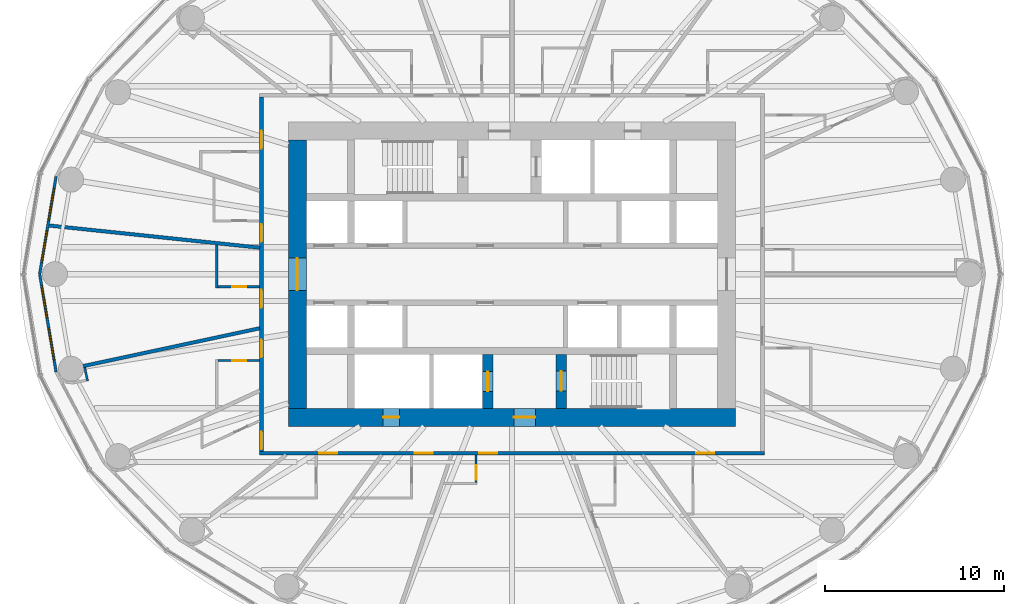
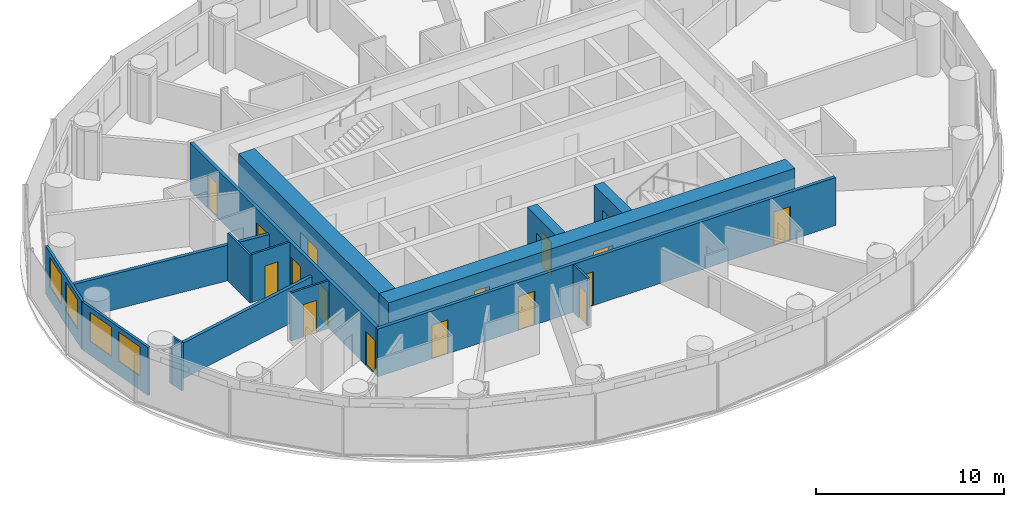
# One storey, part 7 of 13: 17 doors, 15 walls, 4 windows, 21 openings.
"""IFC4 building model written with IfcOpenShell, lengths in metres."""

from ifc_helpers import new_model, si_unit, direction, frame, frame_2d, origin, place, context, subcontext, project, spatial, rectangle, extrude, material, layer, layer_set, type_object, element, fill, save


model = new_model("IFC4")

# Units and contexts
model_context = context("Model", 3, precision=1e-05, world=origin(), true_north=direction((0.0, 1.0)))
body_context = subcontext(model_context, "Body", "Model", "MODEL_VIEW")
ifc_project = project(units=[si_unit("LENGTHUNIT", "METRE"), si_unit("AREAUNIT", "SQUARE_METRE"), si_unit("VOLUMEUNIT", "CUBIC_METRE"), si_unit("PLANEANGLEUNIT", "RADIAN"), si_unit("MASSUNIT", "GRAM", prefix="KILO")], contexts=[model_context])

# Site, building, storey
site_placement = place(None, origin())
site = spatial("IfcSite", under=ifc_project, at=site_placement, CompositionType="ELEMENT")
building_placement = place(site_placement, origin())
building = spatial("IfcBuilding", under=site, at=building_placement, Name="Hankou Lantern Tower", CompositionType="ELEMENT")
storey_placement = place(building_placement, frame((0.0, 0.0, 80.39990234375)))
storey = spatial("IfcBuildingStorey", under=building, at=storey_placement, Name="L20", CompositionType="ELEMENT", Elevation=80.39990234375)

# Wall, openings, doors
ifc_material_1 = material(Name="Concrete C60", Category="concrete")
ifc_layer_1 = layer(ifc_material_1, 1.0)
ifc_layer_set_1 = layer_set([ifc_layer_1], Name="Concrete C60")
wall_type_1 = type_object("IfcWallType", Name="CW1 CORE WALL 1000", PredefinedType="SHEAR", material=ifc_layer_set_1)
wall_1_placement = place(storey_placement, frame((12.5, -8.0, 0.0), z_axis=(0.0, 0.0, 1.0), x_axis=(-1.0, 0.0, 0.0)))
wall_1 = element("IfcWall", 1, at=wall_1_placement, inside=storey, type_object=wall_type_1, Name="Core wall south L20", PredefinedType="SHEAR", context=body_context, shape_type="SweptSolid", body=[
    extrude(rectangle(XDim=25.0, YDim=1.0, at=frame_2d((12.5, 0.0))), origin(), (0.0, 0.0, 1.0), 3.300048828125),
])
opening_1_placement = place(wall_1_placement, frame((11.199951171875, 0.0, 0.0)))
opening_1 = element("IfcOpeningElement", 2, at=opening_1_placement, cuts=wall_1, Name="Opening D5", PredefinedType="OPENING", context=body_context, shape_type="SweptSolid", body=[
    extrude(rectangle(XDim=1.199951171875, YDim=2.199951171875, at=frame_2d((0.60009765625, 1.10009765625))), frame((0.0, 0.510009765625, 0.0), z_axis=(0.0, -1.0, 0.0), x_axis=(1.0, 0.0, 0.0)), (0.0, 0.0, 1.0), 1.02001953125),
])
opening_2_placement = place(wall_1_placement, frame((18.800048828125, 0.0, 0.0)))
opening_2 = element("IfcOpeningElement", 3, at=opening_2_placement, cuts=wall_1, Name="Opening D7", PredefinedType="OPENING", context=body_context, shape_type="SweptSolid", body=[
    extrude(rectangle(XDim=0.89990234375, YDim=2.199951171875, at=frame_2d((0.449951171875, 1.10009765625))), frame((0.0, 0.510009765625, 0.0), z_axis=(0.0, -1.0, 0.0), x_axis=(1.0, 0.0, 0.0)), (0.0, 0.0, 1.0), 1.02001953125),
])
ifc_material_2 = material(Name="Steel door leaf", Category="steel")
door_type_1 = type_object("IfcDoorType", Name="D5 STAIR LOBBY DOOR 1200X2200", OperationType="SINGLE_SWING_LEFT", PredefinedType="DOOR", material=ifc_material_2)
door_1_placement = place(opening_1_placement, origin())
door_1 = element("IfcDoor", 4, at=door_1_placement, inside=storey, type_object=door_type_1, Name="Stair B lobby door", OperationType="SINGLE_SWING_LEFT", OverallHeight=2.199951171875, OverallWidth=1.199951171875, PredefinedType="DOOR", context=body_context, shape_type="SweptSolid", body=[
    extrude(rectangle(XDim=1.199951171875, YDim=2.199951171875, at=frame_2d((0.60009765625, 1.10009765625))), frame((0.0, 0.02490234375, 0.0), z_axis=(0.0, -1.0, 0.0), x_axis=(1.0, 0.0, 0.0)), (0.0, 0.0, 1.0), 0.050048828125),
])
fill(opening_1, door_1)
ifc_material_3 = material(Name="Steel door leaf", Category="steel")
door_type_2 = type_object("IfcDoorType", Name="D7 RISER DOOR 900X2200", OperationType="SINGLE_SWING_LEFT", PredefinedType="DOOR", material=ifc_material_3)
door_2_placement = place(opening_2_placement, origin())
door_2 = element("IfcDoor", 5, at=door_2_placement, inside=storey, type_object=door_type_2, Name="Riser S1 door", OperationType="SINGLE_SWING_RIGHT", OverallHeight=2.199951171875, OverallWidth=0.89990234375, PredefinedType="DOOR", context=body_context, shape_type="SweptSolid", body=[
    extrude(rectangle(XDim=0.89990234375, YDim=2.199951171875, at=frame_2d((0.449951171875, 1.10009765625))), frame((0.0, 0.02490234375, 0.0), z_axis=(0.0, -1.0, 0.0), x_axis=(1.0, 0.0, 0.0)), (0.0, 0.0, 1.0), 0.050048828125),
])
fill(opening_2, door_2)

# Wall, opening, door
wall_2_placement = place(storey_placement, frame((-12.0, 7.5, 0.0), z_axis=(0.0, 0.0, 1.0), x_axis=(0.0, -1.0, 0.0)))
wall_2 = element("IfcWall", 6, at=wall_2_placement, inside=storey, type_object=wall_type_1, Name="Core wall west L20", PredefinedType="SHEAR", context=body_context, shape_type="SweptSolid", body=[
    extrude(rectangle(XDim=15.0, YDim=1.0, at=frame_2d((7.5, 0.0))), origin(), (0.0, 0.0, 1.0), 3.300048828125),
])
opening_3_placement = place(wall_2_placement, frame((6.60009765625, 0.0, 0.0)))
opening_3 = element("IfcOpeningElement", 7, at=opening_3_placement, cuts=wall_2, Name="Opening D6", PredefinedType="OPENING", context=body_context, shape_type="SweptSolid", body=[
    extrude(rectangle(XDim=1.800048828125, YDim=2.199951171875, at=frame_2d((0.89990234375, 1.10009765625))), frame((0.0, 0.510009765625, 0.0), z_axis=(0.0, -1.0, 0.0), x_axis=(1.0, 0.0, 0.0)), (0.0, 0.0, 1.0), 1.02001953125),
])
ifc_material_4 = material(Name="Steel door leaf", Category="steel")
door_type_3 = type_object("IfcDoorType", Name="D6 LIFT LOBBY DOOR 1800X2200", OperationType="DOUBLE_DOOR_DOUBLE_SWING", PredefinedType="DOOR", material=ifc_material_4)
door_3_placement = place(opening_3_placement, origin())
door_3 = element("IfcDoor", 8, at=door_3_placement, inside=storey, type_object=door_type_3, Name="Lift lobby west door", OperationType="DOUBLE_DOOR_DOUBLE_SWING", OverallHeight=2.199951171875, OverallWidth=1.800048828125, PredefinedType="DOOR", context=body_context, shape_type="SweptSolid", body=[
    extrude(rectangle(XDim=1.800048828125, YDim=2.199951171875, at=frame_2d((0.89990234375, 1.10009765625))), frame((0.0, 0.02490234375, 0.0), z_axis=(0.0, -1.0, 0.0), x_axis=(1.0, 0.0, 0.0)), (0.0, 0.0, 1.0), 0.050048828125),
])
fill(opening_3, door_3)

ifc_material_5 = material(Name="Concrete C60", Category="concrete")
ifc_layer_2 = layer(ifc_material_5, 0.60009765625)
ifc_layer_set_2 = layer_set([ifc_layer_2], Name="Concrete C60")
wall_type_2 = type_object("IfcWallType", Name="CW6 STAIR AND SHAFT WALL 600", PredefinedType="SHEAR", material=ifc_layer_set_2)
wall_3_placement = place(storey_placement, frame((2.75, -7.5, 0.0), z_axis=(0.0, 0.0, 1.0), x_axis=(0.0, 1.0, 0.0)))
wall_3 = element("IfcWall", 9, at=wall_3_placement, inside=storey, type_object=wall_type_2, Name="Stair wall L20", PredefinedType="SHEAR", context=body_context, shape_type="SweptSolid", body=[
    extrude(rectangle(XDim=3.0, YDim=0.60009765625, at=frame_2d((1.5, 0.0))), origin(), (0.0, 0.0, 1.0), 3.300048828125),
])
opening_4_placement = place(wall_3_placement, frame((0.97509765625, 0.0, 0.0)))
opening_4 = element("IfcOpeningElement", 10, at=opening_4_placement, cuts=wall_3, Name="Opening D4", PredefinedType="OPENING", context=body_context, shape_type="SweptSolid", body=[
    extrude(rectangle(XDim=1.10009765625, YDim=2.199951171875, at=frame_2d((0.550048828125, 1.10009765625))), frame((0.0, 0.31005859375, 0.0), z_axis=(0.0, -1.0, 0.0), x_axis=(1.0, 0.0, 0.0)), (0.0, 0.0, 1.0), 0.6201171875),
])
ifc_material_6 = material(Name="Steel door leaf", Category="steel")
door_type_4 = type_object("IfcDoorType", Name="D4 STAIR DOOR 1100X2200", OperationType="SINGLE_SWING_LEFT", PredefinedType="DOOR", material=ifc_material_6)
door_4_placement = place(opening_4_placement, origin())
door_4 = element("IfcDoor", 11, at=door_4_placement, inside=storey, type_object=door_type_4, Name="Stair B door", OperationType="SINGLE_SWING_RIGHT", OverallHeight=2.199951171875, OverallWidth=1.10009765625, PredefinedType="DOOR", context=body_context, shape_type="SweptSolid", body=[
    extrude(rectangle(XDim=1.10009765625, YDim=2.199951171875, at=frame_2d((0.550048828125, 1.10009765625))), frame((0.0, 0.02490234375, 0.0), z_axis=(0.0, -1.0, 0.0), x_axis=(1.0, 0.0, 0.0)), (0.0, 0.0, 1.0), 0.050048828125),
])
fill(opening_4, door_4)

wall_4_placement = place(storey_placement, frame((-1.35009765625, -7.5, 0.0), z_axis=(0.0, 0.0, 1.0), x_axis=(0.0, 1.0, 0.0)))
wall_4 = element("IfcWall", 12, at=wall_4_placement, inside=storey, type_object=wall_type_2, Name="Firefighting lift shaft wall L20", PredefinedType="SHEAR", context=body_context, shape_type="SweptSolid", body=[
    extrude(rectangle(XDim=3.0, YDim=0.60009765625, at=frame_2d((1.5, 0.0))), origin(), (0.0, 0.0, 1.0), 3.300048828125),
])
opening_5_placement = place(wall_4_placement, frame((0.949951171875, 0.0, 0.0)))
opening_5 = element("IfcOpeningElement", 13, at=opening_5_placement, cuts=wall_4, Name="Opening LD2", PredefinedType="OPENING", context=body_context, shape_type="SweptSolid", body=[
    extrude(rectangle(XDim=1.10009765625, YDim=2.199951171875, at=frame_2d((0.550048828125, 1.10009765625))), frame((0.0, 0.31005859375, 0.0), z_axis=(0.0, -1.0, 0.0), x_axis=(1.0, 0.0, 0.0)), (0.0, 0.0, 1.0), 0.6201171875),
])
ifc_material_7 = material(Name="Steel door leaf", Category="steel")
door_type_5 = type_object("IfcDoorType", Name="LD2 FIREFIGHTING LIFT LANDING DOOR 1100X2200", OperationType="DOUBLE_DOOR_SLIDING", PredefinedType="DOOR", material=ifc_material_7)
door_5_placement = place(opening_5_placement, origin())
door_5 = element("IfcDoor", 14, at=door_5_placement, inside=storey, type_object=door_type_5, Name="Firefighting lift FL2 landing door", OperationType="DOUBLE_DOOR_SLIDING", OverallHeight=2.199951171875, OverallWidth=1.10009765625, PredefinedType="DOOR", context=body_context, shape_type="SweptSolid", body=[
    extrude(rectangle(XDim=1.10009765625, YDim=2.199951171875, at=frame_2d((0.550048828125, 1.10009765625))), frame((0.0, 0.02490234375, 0.0), z_axis=(0.0, -1.0, 0.0), x_axis=(1.0, 0.0, 0.0)), (0.0, 0.0, 1.0), 0.050048828125),
])
fill(opening_5, door_5)

# Wall, openings, windows
ifc_material_8 = material(Name="Aluminium spandrel panel on steel studs", Category="steel")
ifc_layer_3 = layer(ifc_material_8, 0.14990234375)
ifc_layer_set_3 = layer_set([ifc_layer_3], Name="Aluminium spandrel panel on steel studs")
wall_type_3 = type_object("IfcWallType", Name="EW1 INNER SKIN WALL 150", PredefinedType="ELEMENTEDWALL", material=ifc_layer_set_3)
wall_5_placement = place(storey_placement, frame((-25.482421875, 5.46240234375, 0.0), z_axis=(0.0, 0.0, 1.0), x_axis=(-0.165642551694, -0.986185857264, 0.0)))
wall_5 = element("IfcWall", 15, at=wall_5_placement, inside=storey, type_object=wall_type_3, Name="Inner skin R12-R13 L20", PredefinedType="ELEMENTEDWALL", context=body_context, shape_type="SweptSolid", body=[
    extrude(rectangle(XDim=5.538818359375, YDim=0.14990234375, at=frame_2d((2.76953125, 0.0))), origin(), (0.0, 0.0, 1.0), 3.1201171875),
])
opening_6_placement = place(wall_5_placement, frame((0.66943359375, 0.0, 0.89990234375)))
opening_6 = element("IfcOpeningElement", 16, at=opening_6_placement, cuts=wall_5, Name="Opening W1", PredefinedType="OPENING", context=body_context, shape_type="SweptSolid", body=[
    extrude(rectangle(XDim=1.800048828125, YDim=1.89990234375, at=frame_2d((0.89990234375, 0.949951171875))), frame((0.0, 0.0849609375, 0.0), z_axis=(0.0, -1.0, 0.0), x_axis=(1.0, 0.0, 0.0)), (0.0, 0.0, 1.0), 0.169921875),
])
opening_7_placement = place(wall_5_placement, frame((3.069580078125, 0.0, 0.89990234375)))
opening_7 = element("IfcOpeningElement", 17, at=opening_7_placement, cuts=wall_5, Name="Opening W1", PredefinedType="OPENING", context=body_context, shape_type="SweptSolid", body=[
    extrude(rectangle(XDim=1.800048828125, YDim=1.89990234375, at=frame_2d((0.89990234375, 0.949951171875))), frame((0.0, 0.0849609375, 0.0), z_axis=(0.0, -1.0, 0.0), x_axis=(1.0, 0.0, 0.0)), (0.0, 0.0, 1.0), 0.169921875),
])
ifc_material_9 = material(Name="Aluminium framed double glazed window", Category="aluminium")
window_type = type_object("IfcWindowType", Name="W1 GUEST ROOM WINDOW 1800X1900", PartitioningType="DOUBLE_PANEL_VERTICAL", PredefinedType="WINDOW", material=ifc_material_9)
window_1_placement = place(opening_6_placement, origin())
window_1 = element("IfcWindow", 18, at=window_1_placement, inside=storey, type_object=window_type, Name="Window R12.1 L20", OverallHeight=1.89990234375, OverallWidth=1.800048828125, PartitioningType="SINGLE_PANEL", PredefinedType="WINDOW", context=body_context, shape_type="SweptSolid", body=[
    extrude(rectangle(XDim=1.800048828125, YDim=1.89990234375, at=frame_2d((0.89990234375, 0.949951171875))), frame((0.0, 0.030029296875, 0.0), z_axis=(0.0, -1.0, 0.0), x_axis=(1.0, 0.0, 0.0)), (0.0, 0.0, 1.0), 0.06005859375),
])
fill(opening_6, window_1)
window_2_placement = place(opening_7_placement, origin())
window_2 = element("IfcWindow", 19, at=window_2_placement, inside=storey, type_object=window_type, Name="Window R12.2 L20", OverallHeight=1.89990234375, OverallWidth=1.800048828125, PartitioningType="SINGLE_PANEL", PredefinedType="WINDOW", context=body_context, shape_type="SweptSolid", body=[
    extrude(rectangle(XDim=1.800048828125, YDim=1.89990234375, at=frame_2d((0.89990234375, 0.949951171875))), frame((0.0, 0.030029296875, 0.0), z_axis=(0.0, -1.0, 0.0), x_axis=(1.0, 0.0, 0.0)), (0.0, 0.0, 1.0), 0.06005859375),
])
fill(opening_7, window_2)

wall_6_placement = place(storey_placement, frame((-26.39990234375, 0.0, 0.0), z_axis=(0.0, 0.0, 1.0), x_axis=(0.165642551694, -0.986185857264, 0.0)))
wall_6 = element("IfcWall", 20, at=wall_6_placement, inside=storey, type_object=wall_type_3, Name="Inner skin R13-R14 L20", PredefinedType="ELEMENTEDWALL", context=body_context, shape_type="SweptSolid", body=[
    extrude(rectangle(XDim=5.538818359375, YDim=0.14990234375, at=frame_2d((2.76953125, 0.0))), origin(), (0.0, 0.0, 1.0), 3.1201171875),
])
opening_8_placement = place(wall_6_placement, frame((0.66943359375, 0.0, 0.89990234375)))
opening_8 = element("IfcOpeningElement", 21, at=opening_8_placement, cuts=wall_6, Name="Opening W1", PredefinedType="OPENING", context=body_context, shape_type="SweptSolid", body=[
    extrude(rectangle(XDim=1.800048828125, YDim=1.89990234375, at=frame_2d((0.89990234375, 0.949951171875))), frame((0.0, 0.0849609375, 0.0), z_axis=(0.0, -1.0, 0.0), x_axis=(1.0, 0.0, 0.0)), (0.0, 0.0, 1.0), 0.169921875),
])
opening_9_placement = place(wall_6_placement, frame((3.069580078125, 0.0, 0.89990234375)))
opening_9 = element("IfcOpeningElement", 22, at=opening_9_placement, cuts=wall_6, Name="Opening W1", PredefinedType="OPENING", context=body_context, shape_type="SweptSolid", body=[
    extrude(rectangle(XDim=1.800048828125, YDim=1.89990234375, at=frame_2d((0.89990234375, 0.949951171875))), frame((0.0, 0.0849609375, 0.0), z_axis=(0.0, -1.0, 0.0), x_axis=(1.0, 0.0, 0.0)), (0.0, 0.0, 1.0), 0.169921875),
])
window_3_placement = place(opening_8_placement, origin())
window_3 = element("IfcWindow", 23, at=window_3_placement, inside=storey, type_object=window_type, Name="Window R13.1 L20", OverallHeight=1.89990234375, OverallWidth=1.800048828125, PartitioningType="SINGLE_PANEL", PredefinedType="WINDOW", context=body_context, shape_type="SweptSolid", body=[
    extrude(rectangle(XDim=1.800048828125, YDim=1.89990234375, at=frame_2d((0.89990234375, 0.949951171875))), frame((0.0, 0.030029296875, 0.0), z_axis=(0.0, -1.0, 0.0), x_axis=(1.0, 0.0, 0.0)), (0.0, 0.0, 1.0), 0.06005859375),
])
fill(opening_8, window_3)
window_4_placement = place(opening_9_placement, origin())
window_4 = element("IfcWindow", 24, at=window_4_placement, inside=storey, type_object=window_type, Name="Window R13.2 L20", OverallHeight=1.89990234375, OverallWidth=1.800048828125, PartitioningType="SINGLE_PANEL", PredefinedType="WINDOW", context=body_context, shape_type="SweptSolid", body=[
    extrude(rectangle(XDim=1.800048828125, YDim=1.89990234375, at=frame_2d((0.89990234375, 0.949951171875))), frame((0.0, 0.030029296875, 0.0), z_axis=(0.0, -1.0, 0.0), x_axis=(1.0, 0.0, 0.0)), (0.0, 0.0, 1.0), 0.06005859375),
])
fill(opening_9, window_4)

# Walls
ifc_material_10 = material(Name="Masonry lightweight concrete block", Category="masonry")
ifc_layer_4 = layer(ifc_material_10, 0.199951171875)
ifc_layer_set_4 = layer_set([ifc_layer_4], Name="Masonry lightweight concrete block")
wall_type_4 = type_object("IfcWallType", Name="IW1 GUEST ROOM PARTY WALL 200", PredefinedType="PARTITIONING", material=ifc_layer_set_4)
wall_7_placement = place(storey_placement, frame((-14.10009765625, 1.48193359375, 0.0), z_axis=(0.0, 0.0, 1.0), x_axis=(-0.994522076235, 0.104526742422, 0.0)))
element("IfcWall", 25, at=wall_7_placement, inside=storey, type_object=wall_type_4, Name="Party wall R12-R13", PredefinedType="PARTITIONING", context=body_context, shape_type="SweptSolid", body=[
    extrude(rectangle(XDim=11.82080078125, YDim=0.199951171875, at=frame_2d((5.910400390625, 0.0))), origin(), (0.0, 0.0, 1.0), 2.320068359375),
])
wall_8_placement = place(storey_placement, frame((-14.10009765625, -3.0224609375, 0.0), z_axis=(0.0, 0.0, 1.0), x_axis=(-0.977790014929, -0.209586943072, 0.0)))
element("IfcWall", 26, at=wall_8_placement, inside=storey, type_object=wall_type_4, Name="Party wall R14", PredefinedType="PARTITIONING", context=body_context, shape_type="SweptSolid", body=[
    extrude(rectangle(XDim=10.086669921875, YDim=0.199951171875, at=frame_2d((5.04345703125, 0.0))), origin(), (0.0, 0.0, 1.0), 2.320068359375),
])

# Wall, openings, doors
ifc_material_11 = material(Name="Masonry lightweight concrete block", Category="masonry")
ifc_layer_5 = layer(ifc_material_11, 0.199951171875)
ifc_layer_set_5 = layer_set([ifc_layer_5], Name="Masonry lightweight concrete block")
wall_type_5 = type_object("IfcWallType", Name="IW2 CORRIDOR WALL 200", PredefinedType="PARTITIONING", material=ifc_layer_set_5)
wall_9_placement = place(storey_placement, frame((14.10009765625, -10.0, 0.0), z_axis=(0.0, 0.0, 1.0), x_axis=(-1.0, 0.0, 0.0)))
wall_9 = element("IfcWall", 27, at=wall_9_placement, inside=storey, type_object=wall_type_5, Name="Corridor wall south", PredefinedType="PARTITIONING", context=body_context, shape_type="SweptSolid", body=[
    extrude(rectangle(XDim=28.2001953125, YDim=0.199951171875, at=frame_2d((14.10009765625, 0.0))), origin(), (0.0, 0.0, 1.0), 3.1201171875),
])
opening_10_placement = place(wall_9_placement, frame((23.864990234375, 0.0, 0.0)))
opening_10 = element("IfcOpeningElement", 28, at=opening_10_placement, cuts=wall_9, Name="Opening D1", PredefinedType="OPENING", context=body_context, shape_type="SweptSolid", body=[
    extrude(rectangle(XDim=1.0, YDim=2.199951171875, at=frame_2d((0.5, 1.10009765625))), frame((0.0, 0.10986328125, 0.0), z_axis=(0.0, -1.0, 0.0), x_axis=(1.0, 0.0, 0.0)), (0.0, 0.0, 1.0), 0.219970703125),
])
opening_11_placement = place(wall_9_placement, frame((18.529052734375, 0.0, 0.0)))
opening_11 = element("IfcOpeningElement", 29, at=opening_11_placement, cuts=wall_9, Name="Opening D1", PredefinedType="OPENING", context=body_context, shape_type="SweptSolid", body=[
    extrude(rectangle(XDim=1.0, YDim=2.199951171875, at=frame_2d((0.5, 1.10009765625))), frame((0.0, 0.10986328125, 0.0), z_axis=(0.0, -1.0, 0.0), x_axis=(1.0, 0.0, 0.0)), (0.0, 0.0, 1.0), 0.219970703125),
])
opening_12_placement = place(wall_9_placement, frame((14.9228515625, 0.0, 0.0)))
opening_12 = element("IfcOpeningElement", 30, at=opening_12_placement, cuts=wall_9, Name="Opening D2", PredefinedType="OPENING", context=body_context, shape_type="SweptSolid", body=[
    extrude(rectangle(XDim=1.0, YDim=2.199951171875, at=frame_2d((0.5, 1.10009765625))), frame((0.0, 0.10986328125, 0.0), z_axis=(0.0, -1.0, 0.0), x_axis=(1.0, 0.0, 0.0)), (0.0, 0.0, 1.0), 0.219970703125),
])
opening_13_placement = place(wall_9_placement, frame((2.801025390625, 0.0, 0.0)))
opening_13 = element("IfcOpeningElement", 31, at=opening_13_placement, cuts=wall_9, Name="Opening D2", PredefinedType="OPENING", context=body_context, shape_type="SweptSolid", body=[
    extrude(rectangle(XDim=1.0, YDim=2.199951171875, at=frame_2d((0.5, 1.10009765625))), frame((0.0, 0.10986328125, 0.0), z_axis=(0.0, -1.0, 0.0), x_axis=(1.0, 0.0, 0.0)), (0.0, 0.0, 1.0), 0.219970703125),
])
ifc_material_12 = material(Name="Steel door leaf", Category="steel")
door_type_6 = type_object("IfcDoorType", Name="D1 GUEST ROOM DOOR 1000X2200", OperationType="SINGLE_SWING_LEFT", PredefinedType="DOOR", material=ifc_material_12)
door_6_placement = place(opening_10_placement, origin())
door_6 = element("IfcDoor", 32, at=door_6_placement, inside=storey, type_object=door_type_6, Name="Guest room door 2005", OperationType="SINGLE_SWING_RIGHT", OverallHeight=2.199951171875, OverallWidth=1.0, PredefinedType="DOOR", context=body_context, shape_type="SweptSolid", body=[
    extrude(rectangle(XDim=1.0, YDim=2.199951171875, at=frame_2d((0.5, 1.10009765625))), frame((0.0, 0.02490234375, 0.0), z_axis=(0.0, -1.0, 0.0), x_axis=(1.0, 0.0, 0.0)), (0.0, 0.0, 1.0), 0.050048828125),
])
fill(opening_10, door_6)
door_7_placement = place(opening_11_placement, origin())
door_7 = element("IfcDoor", 33, at=door_7_placement, inside=storey, type_object=door_type_6, Name="Guest room door 2006", OperationType="SINGLE_SWING_RIGHT", OverallHeight=2.199951171875, OverallWidth=1.0, PredefinedType="DOOR", context=body_context, shape_type="SweptSolid", body=[
    extrude(rectangle(XDim=1.0, YDim=2.199951171875, at=frame_2d((0.5, 1.10009765625))), frame((0.0, 0.02490234375, 0.0), z_axis=(0.0, -1.0, 0.0), x_axis=(1.0, 0.0, 0.0)), (0.0, 0.0, 1.0), 0.050048828125),
])
fill(opening_11, door_7)
ifc_material_13 = material(Name="Steel door leaf", Category="steel")
door_type_7 = type_object("IfcDoorType", Name="D2 SUITE DOOR 1000X2200", OperationType="SINGLE_SWING_LEFT", PredefinedType="DOOR", material=ifc_material_13)
door_8_placement = place(opening_12_placement, origin())
door_8 = element("IfcDoor", 34, at=door_8_placement, inside=storey, type_object=door_type_7, Name="Suite door 2007C", OperationType="SINGLE_SWING_RIGHT", OverallHeight=2.199951171875, OverallWidth=1.0, PredefinedType="DOOR", context=body_context, shape_type="SweptSolid", body=[
    extrude(rectangle(XDim=1.0, YDim=2.199951171875, at=frame_2d((0.5, 1.10009765625))), frame((0.0, 0.02490234375, 0.0), z_axis=(0.0, -1.0, 0.0), x_axis=(1.0, 0.0, 0.0)), (0.0, 0.0, 1.0), 0.050048828125),
])
fill(opening_12, door_8)
door_9_placement = place(opening_13_placement, origin())
door_9 = element("IfcDoor", 35, at=door_9_placement, inside=storey, type_object=door_type_7, Name="Suite door 2008", OperationType="SINGLE_SWING_RIGHT", OverallHeight=2.199951171875, OverallWidth=1.0, PredefinedType="DOOR", context=body_context, shape_type="SweptSolid", body=[
    extrude(rectangle(XDim=1.0, YDim=2.199951171875, at=frame_2d((0.5, 1.10009765625))), frame((0.0, 0.02490234375, 0.0), z_axis=(0.0, -1.0, 0.0), x_axis=(1.0, 0.0, 0.0)), (0.0, 0.0, 1.0), 0.050048828125),
])
fill(opening_13, door_9)

wall_10_placement = place(storey_placement, frame((-14.0, 9.89990234375, 0.0), z_axis=(0.0, 0.0, 1.0), x_axis=(0.0, -1.0, 0.0)))
wall_10 = element("IfcWall", 36, at=wall_10_placement, inside=storey, type_object=wall_type_5, Name="Corridor wall west", PredefinedType="PARTITIONING", context=body_context, shape_type="SweptSolid", body=[
    extrude(rectangle(XDim=19.7998046875, YDim=0.199951171875, at=frame_2d((9.89990234375, 0.0))), origin(), (0.0, 0.0, 1.0), 3.1201171875),
])
opening_14_placement = place(wall_10_placement, frame((7.096923828125, 0.0, 0.0)))
opening_14 = element("IfcOpeningElement", 37, at=opening_14_placement, cuts=wall_10, Name="Opening D1", PredefinedType="OPENING", context=body_context, shape_type="SweptSolid", body=[
    extrude(rectangle(XDim=1.0, YDim=2.199951171875, at=frame_2d((0.5, 1.10009765625))), frame((0.0, 0.10986328125, 0.0), z_axis=(0.0, -1.0, 0.0), x_axis=(1.0, 0.0, 0.0)), (0.0, 0.0, 1.0), 0.219970703125),
])
opening_15_placement = place(wall_10_placement, frame((10.778076171875, 0.0, 0.0)))
opening_15 = element("IfcOpeningElement", 38, at=opening_15_placement, cuts=wall_10, Name="Opening D1", PredefinedType="OPENING", context=body_context, shape_type="SweptSolid", body=[
    extrude(rectangle(XDim=1.0, YDim=2.199951171875, at=frame_2d((0.5, 1.10009765625))), frame((0.0, 0.10986328125, 0.0), z_axis=(0.0, -1.0, 0.0), x_axis=(1.0, 0.0, 0.0)), (0.0, 0.0, 1.0), 0.219970703125),
])
opening_16_placement = place(wall_10_placement, frame((13.552490234375, 0.0, 0.0)))
opening_16 = element("IfcOpeningElement", 39, at=opening_16_placement, cuts=wall_10, Name="Opening D1", PredefinedType="OPENING", context=body_context, shape_type="SweptSolid", body=[
    extrude(rectangle(XDim=1.0, YDim=2.199951171875, at=frame_2d((0.5, 1.10009765625))), frame((0.0, 0.10986328125, 0.0), z_axis=(0.0, -1.0, 0.0), x_axis=(1.0, 0.0, 0.0)), (0.0, 0.0, 1.0), 0.219970703125),
])
opening_17_placement = place(wall_10_placement, frame((18.697509765625, 0.0, 0.0)))
opening_17 = element("IfcOpeningElement", 40, at=opening_17_placement, cuts=wall_10, Name="Opening D1", PredefinedType="OPENING", context=body_context, shape_type="SweptSolid", body=[
    extrude(rectangle(XDim=1.0, YDim=2.199951171875, at=frame_2d((0.5, 1.10009765625))), frame((0.0, 0.10986328125, 0.0), z_axis=(0.0, -1.0, 0.0), x_axis=(1.0, 0.0, 0.0)), (0.0, 0.0, 1.0), 0.219970703125),
])
opening_18_placement = place(wall_10_placement, frame((1.876953125, 0.0, 0.0)))
opening_18 = element("IfcOpeningElement", 41, at=opening_18_placement, cuts=wall_10, Name="Opening D1", PredefinedType="OPENING", context=body_context, shape_type="SweptSolid", body=[
    extrude(rectangle(XDim=1.0, YDim=2.199951171875, at=frame_2d((0.5, 1.10009765625))), frame((0.0, 0.10986328125, 0.0), z_axis=(0.0, -1.0, 0.0), x_axis=(1.0, 0.0, 0.0)), (0.0, 0.0, 1.0), 0.219970703125),
])
door_10_placement = place(opening_14_placement, origin())
door_10 = element("IfcDoor", 42, at=door_10_placement, inside=storey, type_object=door_type_6, Name="Guest room door 2001", OperationType="SINGLE_SWING_LEFT", OverallHeight=2.199951171875, OverallWidth=1.0, PredefinedType="DOOR", context=body_context, shape_type="SweptSolid", body=[
    extrude(rectangle(XDim=1.0, YDim=2.199951171875, at=frame_2d((0.5, 1.10009765625))), frame((0.0, 0.02490234375, 0.0), z_axis=(0.0, -1.0, 0.0), x_axis=(1.0, 0.0, 0.0)), (0.0, 0.0, 1.0), 0.050048828125),
])
fill(opening_14, door_10)
door_11_placement = place(opening_15_placement, origin())
door_11 = element("IfcDoor", 43, at=door_11_placement, inside=storey, type_object=door_type_6, Name="Guest room door 2002", OperationType="SINGLE_SWING_RIGHT", OverallHeight=2.199951171875, OverallWidth=1.0, PredefinedType="DOOR", context=body_context, shape_type="SweptSolid", body=[
    extrude(rectangle(XDim=1.0, YDim=2.199951171875, at=frame_2d((0.5, 1.10009765625))), frame((0.0, 0.02490234375, 0.0), z_axis=(0.0, -1.0, 0.0), x_axis=(1.0, 0.0, 0.0)), (0.0, 0.0, 1.0), 0.050048828125),
])
fill(opening_15, door_11)
door_12_placement = place(opening_16_placement, origin())
door_12 = element("IfcDoor", 44, at=door_12_placement, inside=storey, type_object=door_type_6, Name="Guest room door 2003", OperationType="SINGLE_SWING_RIGHT", OverallHeight=2.199951171875, OverallWidth=1.0, PredefinedType="DOOR", context=body_context, shape_type="SweptSolid", body=[
    extrude(rectangle(XDim=1.0, YDim=2.199951171875, at=frame_2d((0.5, 1.10009765625))), frame((0.0, 0.02490234375, 0.0), z_axis=(0.0, -1.0, 0.0), x_axis=(1.0, 0.0, 0.0)), (0.0, 0.0, 1.0), 0.050048828125),
])
fill(opening_16, door_12)
door_13_placement = place(opening_17_placement, origin())
door_13 = element("IfcDoor", 45, at=door_13_placement, inside=storey, type_object=door_type_6, Name="Guest room door 2004", OperationType="SINGLE_SWING_RIGHT", OverallHeight=2.199951171875, OverallWidth=1.0, PredefinedType="DOOR", context=body_context, shape_type="SweptSolid", body=[
    extrude(rectangle(XDim=1.0, YDim=2.199951171875, at=frame_2d((0.5, 1.10009765625))), frame((0.0, 0.02490234375, 0.0), z_axis=(0.0, -1.0, 0.0), x_axis=(1.0, 0.0, 0.0)), (0.0, 0.0, 1.0), 0.050048828125),
])
fill(opening_17, door_13)
door_14_placement = place(opening_18_placement, origin())
door_14 = element("IfcDoor", 46, at=door_14_placement, inside=storey, type_object=door_type_6, Name="Guest room door 2017", OperationType="SINGLE_SWING_LEFT", OverallHeight=2.199951171875, OverallWidth=1.0, PredefinedType="DOOR", context=body_context, shape_type="SweptSolid", body=[
    extrude(rectangle(XDim=1.0, YDim=2.199951171875, at=frame_2d((0.5, 1.10009765625))), frame((0.0, 0.02490234375, 0.0), z_axis=(0.0, -1.0, 0.0), x_axis=(1.0, 0.0, 0.0)), (0.0, 0.0, 1.0), 0.050048828125),
])
fill(opening_18, door_14)

# Wall
ifc_material_14 = material(Name="Masonry lightweight concrete block", Category="masonry")
ifc_layer_6 = layer(ifc_material_14, 0.1201171875)
ifc_layer_set_6 = layer_set([ifc_layer_6], Name="Masonry lightweight concrete block")
wall_type_6 = type_object("IfcWallType", Name="IW3 BATHROOM WALL 120", PredefinedType="PARTITIONING", material=ifc_layer_set_6)
wall_11_placement = place(storey_placement, frame((-16.5, 1.63427734375, 0.0), z_axis=(0.0, 0.0, 1.0), x_axis=(0.0, -1.0, 0.0)))
element("IfcWall", 47, at=wall_11_placement, inside=storey, type_object=wall_type_6, Name="Box wall 2002 1", PredefinedType="PARTITIONING", context=body_context, shape_type="SweptSolid", body=[
    extrude(rectangle(XDim=2.392333984375, YDim=0.1201171875, at=frame_2d((1.1962890625, 0.0))), origin(), (0.0, 0.0, 1.0), 3.1201171875),
])

# Wall, opening, door
wall_12_placement = place(storey_placement, frame((-14.10009765625, -0.697998046875, 0.0), z_axis=(0.0, 0.0, 1.0), x_axis=(-1.0, 0.0, 0.0)))
wall_12 = element("IfcWall", 48, at=wall_12_placement, inside=storey, type_object=wall_type_6, Name="Box wall 2002 1", PredefinedType="PARTITIONING", context=body_context, shape_type="SweptSolid", body=[
    extrude(rectangle(XDim=2.33984375, YDim=0.1201171875, at=frame_2d((1.169921875, 0.0))), origin(), (0.0, 0.0, 1.0), 3.1201171875),
])
opening_19_placement = place(wall_12_placement, frame((0.75, 0.0, 0.0)))
opening_19 = element("IfcOpeningElement", 49, at=opening_19_placement, cuts=wall_12, Name="Opening D3", PredefinedType="OPENING", context=body_context, shape_type="SweptSolid", body=[
    extrude(rectangle(XDim=0.800048828125, YDim=2.10009765625, at=frame_2d((0.39990234375, 1.050048828125))), frame((0.0, 0.070068359375, 0.0), z_axis=(0.0, -1.0, 0.0), x_axis=(1.0, 0.0, 0.0)), (0.0, 0.0, 1.0), 0.14013671875),
])
ifc_material_15 = material(Name="Timber door leaf", Category="wood")
door_type_8 = type_object("IfcDoorType", Name="D3 BATHROOM DOOR 800X2100", OperationType="SINGLE_SWING_LEFT", PredefinedType="DOOR", material=ifc_material_15)
door_15_placement = place(opening_19_placement, origin())
door_15 = element("IfcDoor", 50, at=door_15_placement, inside=storey, type_object=door_type_8, Name="En-suite bathroom 2002 door", OperationType="SINGLE_SWING_LEFT", OverallHeight=2.10009765625, OverallWidth=0.800048828125, PredefinedType="DOOR", context=body_context, shape_type="SweptSolid", body=[
    extrude(rectangle(XDim=0.800048828125, YDim=2.10009765625, at=frame_2d((0.39990234375, 1.050048828125))), frame((0.0, 0.02490234375, 0.0), z_axis=(0.0, -1.0, 0.0), x_axis=(1.0, 0.0, 0.0)), (0.0, 0.0, 1.0), 0.050048828125),
])
fill(opening_19, door_15)

wall_13_placement = place(storey_placement, frame((-14.10009765625, -4.83251953125, 0.0), z_axis=(0.0, 0.0, 1.0), x_axis=(-1.0, 0.0, 0.0)))
wall_13 = element("IfcWall", 51, at=wall_13_placement, inside=storey, type_object=wall_type_6, Name="Box wall 2003 1", PredefinedType="PARTITIONING", context=body_context, shape_type="SweptSolid", body=[
    extrude(rectangle(XDim=2.33984375, YDim=0.1201171875, at=frame_2d((1.169921875, 0.0))), origin(), (0.0, 0.0, 1.0), 3.1201171875),
])
opening_20_placement = place(wall_13_placement, frame((0.75, 0.0, 0.0)))
opening_20 = element("IfcOpeningElement", 52, at=opening_20_placement, cuts=wall_13, Name="Opening D3", PredefinedType="OPENING", context=body_context, shape_type="SweptSolid", body=[
    extrude(rectangle(XDim=0.800048828125, YDim=2.10009765625, at=frame_2d((0.39990234375, 1.050048828125))), frame((0.0, 0.070068359375, 0.0), z_axis=(0.0, -1.0, 0.0), x_axis=(1.0, 0.0, 0.0)), (0.0, 0.0, 1.0), 0.14013671875),
])
door_16_placement = place(opening_20_placement, origin())
door_16 = element("IfcDoor", 53, at=door_16_placement, inside=storey, type_object=door_type_8, Name="En-suite bathroom 2003 door", OperationType="SINGLE_SWING_LEFT", OverallHeight=2.10009765625, OverallWidth=0.800048828125, PredefinedType="DOOR", context=body_context, shape_type="SweptSolid", body=[
    extrude(rectangle(XDim=0.800048828125, YDim=2.10009765625, at=frame_2d((0.39990234375, 1.050048828125))), frame((0.0, 0.02490234375, 0.0), z_axis=(0.0, -1.0, 0.0), x_axis=(1.0, 0.0, 0.0)), (0.0, 0.0, 1.0), 0.050048828125),
])
fill(opening_20, door_16)

wall_14_placement = place(storey_placement, frame((-2.0029296875, -10.10009765625, 0.0), z_axis=(0.0, 0.0, 1.0), x_axis=(0.0, -1.0, 0.0)))
wall_14 = element("IfcWall", 54, at=wall_14_placement, inside=storey, type_object=wall_type_6, Name="Box wall 2007C 1", PredefinedType="PARTITIONING", context=body_context, shape_type="SweptSolid", body=[
    extrude(rectangle(XDim=1.539794921875, YDim=0.1201171875, at=frame_2d((0.77001953125, 0.0))), origin(), (0.0, 0.0, 1.0), 3.1201171875),
])
opening_21_placement = place(wall_14_placement, frame((0.590087890625, 0.0, 0.0)))
opening_21 = element("IfcOpeningElement", 55, at=opening_21_placement, cuts=wall_14, Name="Opening D3", PredefinedType="OPENING", context=body_context, shape_type="SweptSolid", body=[
    extrude(rectangle(XDim=0.800048828125, YDim=2.10009765625, at=frame_2d((0.39990234375, 1.050048828125))), frame((0.0, 0.070068359375, 0.0), z_axis=(0.0, -1.0, 0.0), x_axis=(1.0, 0.0, 0.0)), (0.0, 0.0, 1.0), 0.14013671875),
])
door_17_placement = place(opening_21_placement, origin())
door_17 = element("IfcDoor", 56, at=door_17_placement, inside=storey, type_object=door_type_8, Name="Corner suite 2007 guest WC door", OperationType="SINGLE_SWING_LEFT", OverallHeight=2.10009765625, OverallWidth=0.800048828125, PredefinedType="DOOR", context=body_context, shape_type="SweptSolid", body=[
    extrude(rectangle(XDim=0.800048828125, YDim=2.10009765625, at=frame_2d((0.39990234375, 1.050048828125))), frame((0.0, 0.02490234375, 0.0), z_axis=(0.0, -1.0, 0.0), x_axis=(1.0, 0.0, 0.0)), (0.0, 0.0, 1.0), 0.050048828125),
])
fill(opening_21, door_17)

# Wall
ifc_material_16 = material(Name="Masonry lightweight concrete block", Category="masonry")
ifc_layer_7 = layer(ifc_material_16, 0.1201171875)
ifc_layer_set_7 = layer_set([ifc_layer_7], Name="Masonry lightweight concrete block")
wall_type_7 = type_object("IfcWallType", Name="IW4 PARTITION 120", PredefinedType="PARTITIONING", material=ifc_layer_set_7)
wall_15_placement = place(storey_placement, frame((-23.8828125, -5.2216796875, 0.0), z_axis=(0.0, 0.0, 1.0), x_axis=(0.209311842415, -0.977848941619, 0.0)))
element("IfcWall", 57, at=wall_15_placement, inside=storey, type_object=wall_type_7, Name="Column casing R14 return", PredefinedType="PARTITIONING", context=body_context, shape_type="SweptSolid", body=[
    extrude(rectangle(XDim=0.767578125, YDim=0.1201171875, at=frame_2d((0.3837890625, 0.0))), origin(), (0.0, 0.0, 1.0), 3.1201171875),
])

save(model, "model.ifc")
